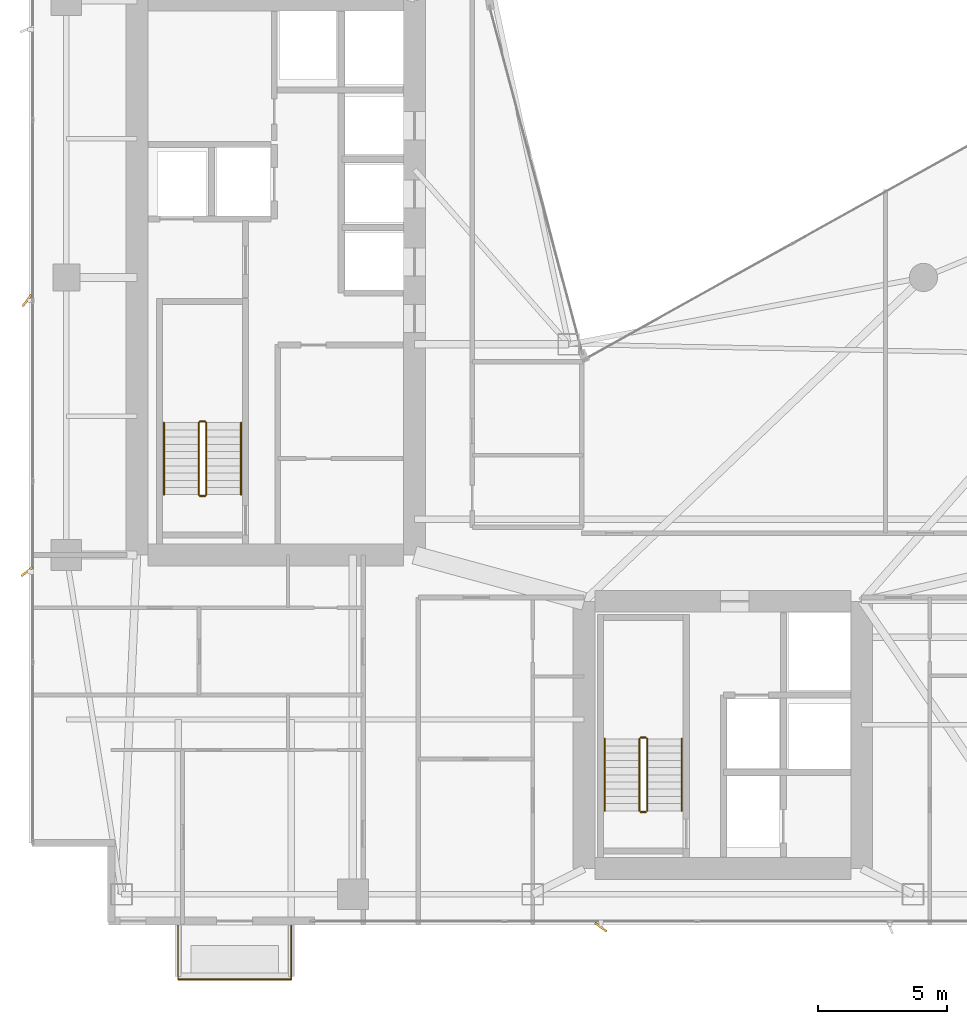
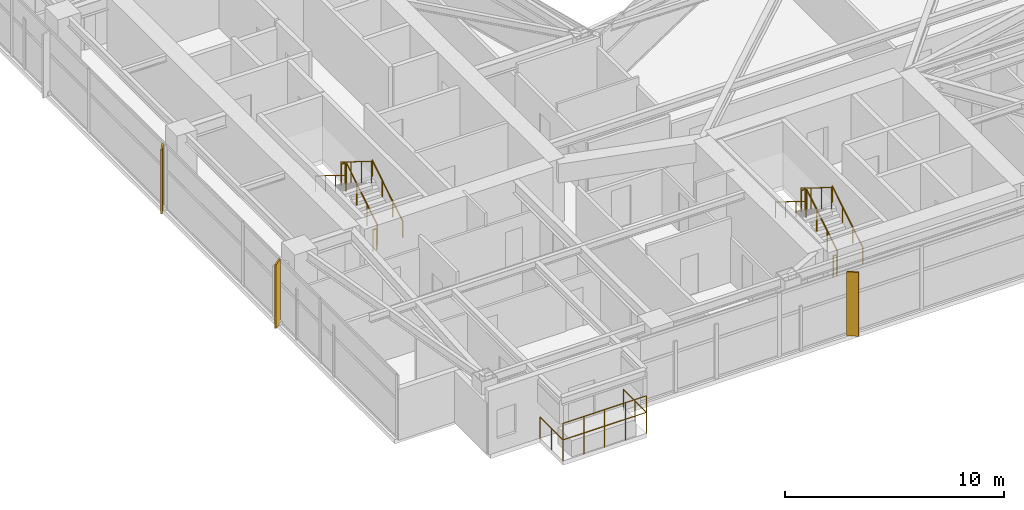
# One storey, part 28 of 29: 14 railings, 3 shading devices.
"""IFC4 building model written with IfcOpenShell, lengths in metres."""

from ifc_helpers import new_model, si_unit, direction, frame, origin, origin_2d, place, context, subcontext, project, spatial, rectangle, circle, extrude, material, type_object, element, save


model = new_model("IFC4")

# Units and contexts
model_context = context("Model", 3, precision=1e-05, world=origin(), true_north=direction((0.0, 1.0)))
body_context = subcontext(model_context, "Body", "Model", "MODEL_VIEW")
ifc_project = project(units=[si_unit("LENGTHUNIT", "METRE"), si_unit("AREAUNIT", "SQUARE_METRE"), si_unit("VOLUMEUNIT", "CUBIC_METRE"), si_unit("PLANEANGLEUNIT", "RADIAN"), si_unit("MASSUNIT", "GRAM", prefix="KILO")], contexts=[model_context])

# Site, building, storey
site_placement = place(None, origin())
site = spatial("IfcSite", under=ifc_project, at=site_placement, CompositionType="ELEMENT")
building_placement = place(site_placement, origin())
building = spatial("IfcBuilding", under=site, at=building_placement, Name="Calvorn Quay Hotel", CompositionType="ELEMENT")
storey_placement = place(building_placement, frame((0.0, 0.0, 105.0)))
storey = spatial("IfcBuildingStorey", under=building, at=storey_placement, Name="L25", CompositionType="ELEMENT", Elevation=105.0)

# Railings
ifc_material_1 = material(Name="Pale Anodised Aluminium and Laminated Glass", Category="aluminium")
railing_type_1 = type_object("IfcRailingType", Name="RLG-BALUSTRADE-1200", PredefinedType="BALUSTRADE", material=ifc_material_1)
railing_1_placement = place(storey_placement, frame((5.800048828125, 2.389892578125, 0.0)))
element("IfcRailing", 1, at=railing_1_placement, inside=storey, type_object=railing_type_1, Name="Tree Balcony Perimeter Balustrade L25-BALC-S", PredefinedType="BALUSTRADE", context=body_context, shape_type="SweptSolid", body=[
    extrude(circle(Radius=0.02392578125, at=origin_2d()), frame((0.0, 0.0, 1.17578125), z_axis=(0.0, -1.0, 0.0), x_axis=(1.0, 0.0, 0.0)), (0.0, 0.0, 1.0), 2.099853515625),
    extrude(circle(Radius=0.02392578125, at=origin_2d()), frame((0.0, -2.099853515625, 1.17578125), z_axis=(1.0, 0.0, 0.0), x_axis=(0.0, 1.0, 0.0)), (0.0, 0.0, 1.0), 4.39990234375),
    extrude(circle(Radius=0.02392578125, at=origin_2d()), frame((4.39990234375, -2.099853515625, 1.17578125), z_axis=(0.0, 1.0, 0.0), x_axis=(-1.0, 0.0, 0.0)), (0.0, 0.0, 1.0), 2.099853515625),
    extrude(circle(Radius=0.02099609375, at=origin_2d()), origin(), (0.0, 0.0, 1.0), 1.15185546875),
    extrude(circle(Radius=0.02099609375, at=origin_2d()), frame((0.0, -1.0498046875, 0.0)), (0.0, 0.0, 1.0), 1.15185546875),
    extrude(circle(Radius=0.02099609375, at=origin_2d()), frame((0.0, -2.099853515625, 0.0)), (0.0, 0.0, 1.0), 1.15185546875),
    extrude(circle(Radius=0.02099609375, at=origin_2d()), frame((1.10009765625, -2.099853515625, 0.0)), (0.0, 0.0, 1.0), 1.15185546875),
    extrude(circle(Radius=0.02099609375, at=origin_2d()), frame((2.199951171875, -2.099853515625, 0.0)), (0.0, 0.0, 1.0), 1.15185546875),
    extrude(circle(Radius=0.02099609375, at=origin_2d()), frame((3.2998046875, -2.099853515625, 0.0)), (0.0, 0.0, 1.0), 1.15185546875),
    extrude(circle(Radius=0.02099609375, at=origin_2d()), frame((4.39990234375, -2.099853515625, 0.0)), (0.0, 0.0, 1.0), 1.15185546875),
    extrude(circle(Radius=0.02099609375, at=origin_2d()), frame((4.39990234375, -1.0498046875, 0.0)), (0.0, 0.0, 1.0), 1.15185546875),
    extrude(circle(Radius=0.02099609375, at=origin_2d()), frame((4.39990234375, 0.0, 0.0)), (0.0, 0.0, 1.0), 1.15185546875),
])
railing_2_placement = place(storey_placement, frame((5.800048828125, 0.2900390625, 0.89990234375)))
element("IfcRailing", 2, at=railing_2_placement, inside=storey, type_object=railing_type_1, Name="Planter Kerb High Safety Screen L25-BALC-S", PredefinedType="BALUSTRADE", context=body_context, shape_type="SweptSolid", body=[
    extrude(circle(Radius=0.02392578125, at=origin_2d()), frame((0.0, 0.0, 1.19580078125), z_axis=(1.0, 0.0, 0.0), x_axis=(0.0, 1.0, 0.0)), (0.0, 0.0, 1.0), 4.39990234375),
    extrude(circle(Radius=0.02099609375, at=origin_2d()), origin(), (0.0, 0.0, 1.0), 1.171875),
    extrude(circle(Radius=0.02099609375, at=origin_2d()), frame((1.10009765625, 0.0, 0.0)), (0.0, 0.0, 1.0), 1.171875),
    extrude(circle(Radius=0.02099609375, at=origin_2d()), frame((2.199951171875, 0.0, 0.0)), (0.0, 0.0, 1.0), 1.171875),
    extrude(circle(Radius=0.02099609375, at=origin_2d()), frame((3.2998046875, 0.0, 0.0)), (0.0, 0.0, 1.0), 1.171875),
    extrude(circle(Radius=0.02099609375, at=origin_2d()), frame((4.39990234375, 0.0, 0.0)), (0.0, 0.0, 1.0), 1.171875),
])
ifc_material_2 = material(Name="Brushed Stainless Steel Handrail", Category="steel")
railing_type_2 = type_object("IfcRailingType", Name="RLG-HANDRAIL-900", PredefinedType="HANDRAIL", material=ifc_material_2)
railing_3_placement = place(storey_placement, frame((8.25, 19.14990234375, 0.172607421875)))
element("IfcRailing", 3, at=railing_3_placement, inside=storey, type_object=railing_type_2, Name="L25 ST-W stair handrail 1", PredefinedType="HANDRAIL", context=body_context, shape_type="SweptSolid", body=[
    extrude(circle(Radius=0.02392578125, at=origin_2d()), frame((0.0, 0.0, 0.8759765625), z_axis=(0.0, 0.851089632645, 0.525020415988), x_axis=(-1.0, 0.0, 0.0)), (0.0, 0.0, 1.0), 3.2900390625),
    extrude(circle(Radius=0.02099609375, at=origin_2d()), origin(), (0.0, 0.0, 1.0), 0.851806640625),
    extrude(circle(Radius=0.02099609375, at=origin_2d()), frame((0.0, 0.933349609375, 0.57568359375)), (0.0, 0.0, 1.0), 0.851806640625),
    extrude(circle(Radius=0.02099609375, at=origin_2d()), frame((0.0, 1.86669921875, 1.151611328125)), (0.0, 0.0, 1.0), 0.851806640625),
    extrude(circle(Radius=0.02099609375, at=origin_2d()), frame((0.0, 2.800048828125, 1.727294921875)), (0.0, 0.0, 1.0), 0.851806640625),
])
railing_4_placement = place(storey_placement, frame((5.25, 21.949951171875, 2.07275390625)))
element("IfcRailing", 4, at=railing_4_placement, inside=storey, type_object=railing_type_2, Name="L25 ST-W stair handrail 2", PredefinedType="HANDRAIL", context=body_context, shape_type="SweptSolid", body=[
    extrude(circle(Radius=0.02392578125, at=origin_2d()), frame((0.0, 0.0, 0.8759765625), z_axis=(0.0, -0.851089632645, 0.525020415988), x_axis=(1.0, 0.0, 0.0)), (0.0, 0.0, 1.0), 3.2900390625),
    extrude(circle(Radius=0.02099609375, at=origin_2d()), origin(), (0.0, 0.0, 1.0), 0.851806640625),
    extrude(circle(Radius=0.02099609375, at=origin_2d()), frame((0.0, -0.933349609375, 0.57568359375)), (0.0, 0.0, 1.0), 0.851806640625),
    extrude(circle(Radius=0.02099609375, at=origin_2d()), frame((0.0, -1.86669921875, 1.151611328125)), (0.0, 0.0, 1.0), 0.851806640625),
    extrude(circle(Radius=0.02099609375, at=origin_2d()), frame((0.0, -2.800048828125, 1.727294921875)), (0.0, 0.0, 1.0), 0.851806640625),
])
railing_5_placement = place(storey_placement, frame((25.39990234375, 6.85009765625, 0.172607421875)))
element("IfcRailing", 5, at=railing_5_placement, inside=storey, type_object=railing_type_2, Name="L25 ST-E stair handrail 1", PredefinedType="HANDRAIL", context=body_context, shape_type="SweptSolid", body=[
    extrude(circle(Radius=0.02392578125, at=origin_2d()), frame((0.0, 0.0, 0.8759765625), z_axis=(0.0, 0.851069175582, 0.525053576669), x_axis=(-1.0, 0.0, 0.0)), (0.0, 0.0, 1.0), 3.289794921875),
    extrude(circle(Radius=0.02099609375, at=origin_2d()), origin(), (0.0, 0.0, 1.0), 0.851806640625),
    extrude(circle(Radius=0.02099609375, at=origin_2d()), frame((0.0, 0.933349609375, 0.57568359375)), (0.0, 0.0, 1.0), 0.851806640625),
    extrude(circle(Radius=0.02099609375, at=origin_2d()), frame((0.0, 1.866455078125, 1.151611328125)), (0.0, 0.0, 1.0), 0.851806640625),
    extrude(circle(Radius=0.02099609375, at=origin_2d()), frame((0.0, 2.7998046875, 1.727294921875)), (0.0, 0.0, 1.0), 0.851806640625),
])
railing_6_placement = place(storey_placement, frame((22.39990234375, 9.64990234375, 2.07275390625)))
element("IfcRailing", 6, at=railing_6_placement, inside=storey, type_object=railing_type_2, Name="L25 ST-E stair handrail 2", PredefinedType="HANDRAIL", context=body_context, shape_type="SweptSolid", body=[
    extrude(circle(Radius=0.02392578125, at=origin_2d()), frame((0.0, 0.0, 0.8759765625), z_axis=(0.0, -0.851069175582, 0.525053576669), x_axis=(1.0, 0.0, 0.0)), (0.0, 0.0, 1.0), 3.289794921875),
    extrude(circle(Radius=0.02099609375, at=origin_2d()), origin(), (0.0, 0.0, 1.0), 0.851806640625),
    extrude(circle(Radius=0.02099609375, at=origin_2d()), frame((0.0, -0.933349609375, 0.57568359375)), (0.0, 0.0, 1.0), 0.851806640625),
    extrude(circle(Radius=0.02099609375, at=origin_2d()), frame((0.0, -1.866455078125, 1.151611328125)), (0.0, 0.0, 1.0), 0.851806640625),
    extrude(circle(Radius=0.02099609375, at=origin_2d()), frame((0.0, -2.7998046875, 1.727294921875)), (0.0, 0.0, 1.0), 0.851806640625),
])
ifc_material_3 = material(Name="Painted Galvanised Steel Balustrade", Category="steel")
railing_type_3 = type_object("IfcRailingType", Name="RLG-STAIR-GUARD-1120", PredefinedType="GUARDRAIL", material=ifc_material_3)
railing_7_placement = place(storey_placement, frame((6.89990234375, 19.14990234375, 0.172607421875)))
element("IfcRailing", 7, at=railing_7_placement, inside=storey, type_object=railing_type_3, Name="L25 ST-W stair guard 1", PredefinedType="GUARDRAIL", context=body_context, shape_type="SweptSolid", body=[
    extrude(circle(Radius=0.02392578125, at=origin_2d()), frame((0.0, 0.0, 1.17578125), z_axis=(0.0, 0.851089632645, 0.525020415988), x_axis=(-1.0, 0.0, 0.0)), (0.0, 0.0, 1.0), 3.2900390625),
    extrude(circle(Radius=0.02099609375, at=origin_2d()), origin(), (0.0, 0.0, 1.0), 1.15185546875),
    extrude(circle(Radius=0.02099609375, at=origin_2d()), frame((0.0, 0.933349609375, 0.57568359375)), (0.0, 0.0, 1.0), 1.15185546875),
    extrude(circle(Radius=0.02099609375, at=origin_2d()), frame((0.0, 1.86669921875, 1.151611328125)), (0.0, 0.0, 1.0), 1.15185546875),
    extrude(circle(Radius=0.02099609375, at=origin_2d()), frame((0.0, 2.800048828125, 1.727294921875)), (0.0, 0.0, 1.0), 1.15185546875),
])
railing_8_placement = place(storey_placement, frame((6.85009765625, 22.0, 1.89990234375)))
element("IfcRailing", 8, at=railing_8_placement, inside=storey, type_object=railing_type_3, Name="L25 ST-W stair guard 2", PredefinedType="GUARDRAIL", context=body_context, shape_type="SweptSolid", body=[
    extrude(circle(Radius=0.02392578125, at=origin_2d()), frame((0.0, 0.0, 1.17578125), z_axis=(-1.0, 0.0, 0.0), x_axis=(0.0, -1.0, 0.0)), (0.0, 0.0, 1.0), 0.2001953125),
    extrude(circle(Radius=0.02099609375, at=origin_2d()), origin(), (0.0, 0.0, 1.0), 1.15185546875),
    extrude(circle(Radius=0.02099609375, at=origin_2d()), frame((-0.2001953125, 0.0, 0.0)), (0.0, 0.0, 1.0), 1.15185546875),
])
railing_9_placement = place(storey_placement, frame((6.60009765625, 21.949951171875, 2.07275390625)))
element("IfcRailing", 9, at=railing_9_placement, inside=storey, type_object=railing_type_3, Name="L25 ST-W stair guard 3", PredefinedType="GUARDRAIL", context=body_context, shape_type="SweptSolid", body=[
    extrude(circle(Radius=0.02392578125, at=origin_2d()), frame((0.0, 0.0, 1.17578125), z_axis=(0.0, -0.851089632645, 0.525020415988), x_axis=(1.0, 0.0, 0.0)), (0.0, 0.0, 1.0), 3.2900390625),
    extrude(circle(Radius=0.02099609375, at=origin_2d()), origin(), (0.0, 0.0, 1.0), 1.15185546875),
    extrude(circle(Radius=0.02099609375, at=origin_2d()), frame((0.0, -0.933349609375, 0.57568359375)), (0.0, 0.0, 1.0), 1.15185546875),
    extrude(circle(Radius=0.02099609375, at=origin_2d()), frame((0.0, -1.86669921875, 1.151611328125)), (0.0, 0.0, 1.0), 1.15185546875),
    extrude(circle(Radius=0.02099609375, at=origin_2d()), frame((0.0, -2.800048828125, 1.727294921875)), (0.0, 0.0, 1.0), 1.15185546875),
])
railing_10_placement = place(storey_placement, frame((6.85009765625, 19.10009765625, 0.0)))
element("IfcRailing", 10, at=railing_10_placement, inside=storey, type_object=railing_type_3, Name="L25 ST-W stair guard 4", PredefinedType="GUARDRAIL", context=body_context, shape_type="SweptSolid", body=[
    extrude(circle(Radius=0.02392578125, at=origin_2d()), frame((0.0, 0.0, 1.17578125), z_axis=(-1.0, 0.0, 0.0), x_axis=(0.0, -1.0, 0.0)), (0.0, 0.0, 1.0), 0.2001953125),
    extrude(circle(Radius=0.02099609375, at=origin_2d()), origin(), (0.0, 0.0, 1.0), 1.15185546875),
    extrude(circle(Radius=0.02099609375, at=origin_2d()), frame((-0.2001953125, 0.0, 0.0)), (0.0, 0.0, 1.0), 1.15185546875),
])
railing_11_placement = place(storey_placement, frame((24.050048828125, 6.85009765625, 0.172607421875)))
element("IfcRailing", 11, at=railing_11_placement, inside=storey, type_object=railing_type_3, Name="L25 ST-E stair guard 1", PredefinedType="GUARDRAIL", context=body_context, shape_type="SweptSolid", body=[
    extrude(circle(Radius=0.02392578125, at=origin_2d()), frame((0.0, 0.0, 1.17578125), z_axis=(0.0, 0.851069175582, 0.525053576669), x_axis=(-1.0, 0.0, 0.0)), (0.0, 0.0, 1.0), 3.289794921875),
    extrude(circle(Radius=0.02099609375, at=origin_2d()), origin(), (0.0, 0.0, 1.0), 1.15185546875),
    extrude(circle(Radius=0.02099609375, at=origin_2d()), frame((0.0, 0.933349609375, 0.57568359375)), (0.0, 0.0, 1.0), 1.15185546875),
    extrude(circle(Radius=0.02099609375, at=origin_2d()), frame((0.0, 1.866455078125, 1.151611328125)), (0.0, 0.0, 1.0), 1.15185546875),
    extrude(circle(Radius=0.02099609375, at=origin_2d()), frame((0.0, 2.7998046875, 1.727294921875)), (0.0, 0.0, 1.0), 1.15185546875),
])
railing_12_placement = place(storey_placement, frame((24.0, 9.699951171875, 1.89990234375)))
element("IfcRailing", 12, at=railing_12_placement, inside=storey, type_object=railing_type_3, Name="L25 ST-E stair guard 2", PredefinedType="GUARDRAIL", context=body_context, shape_type="SweptSolid", body=[
    extrude(circle(Radius=0.02392578125, at=origin_2d()), frame((0.0, 0.0, 1.17578125), z_axis=(-1.0, 0.0, 0.0), x_axis=(0.0, -1.0, 0.0)), (0.0, 0.0, 1.0), 0.199951171875),
    extrude(circle(Radius=0.02099609375, at=origin_2d()), origin(), (0.0, 0.0, 1.0), 1.15185546875),
    extrude(circle(Radius=0.02099609375, at=origin_2d()), frame((-0.199951171875, 0.0, 0.0)), (0.0, 0.0, 1.0), 1.15185546875),
])
railing_13_placement = place(storey_placement, frame((23.75, 9.64990234375, 2.07275390625)))
element("IfcRailing", 13, at=railing_13_placement, inside=storey, type_object=railing_type_3, Name="L25 ST-E stair guard 3", PredefinedType="GUARDRAIL", context=body_context, shape_type="SweptSolid", body=[
    extrude(circle(Radius=0.02392578125, at=origin_2d()), frame((0.0, 0.0, 1.17578125), z_axis=(0.0, -0.851069175582, 0.525053576669), x_axis=(1.0, 0.0, 0.0)), (0.0, 0.0, 1.0), 3.289794921875),
    extrude(circle(Radius=0.02099609375, at=origin_2d()), origin(), (0.0, 0.0, 1.0), 1.15185546875),
    extrude(circle(Radius=0.02099609375, at=origin_2d()), frame((0.0, -0.933349609375, 0.57568359375)), (0.0, 0.0, 1.0), 1.15185546875),
    extrude(circle(Radius=0.02099609375, at=origin_2d()), frame((0.0, -1.866455078125, 1.151611328125)), (0.0, 0.0, 1.0), 1.15185546875),
    extrude(circle(Radius=0.02099609375, at=origin_2d()), frame((0.0, -2.7998046875, 1.727294921875)), (0.0, 0.0, 1.0), 1.15185546875),
])
railing_14_placement = place(storey_placement, frame((24.0, 6.800048828125, 0.0)))
element("IfcRailing", 14, at=railing_14_placement, inside=storey, type_object=railing_type_3, Name="L25 ST-E stair guard 4", PredefinedType="GUARDRAIL", context=body_context, shape_type="SweptSolid", body=[
    extrude(circle(Radius=0.02392578125, at=origin_2d()), frame((0.0, 0.0, 1.17578125), z_axis=(-1.0, 0.0, 0.0), x_axis=(0.0, -1.0, 0.0)), (0.0, 0.0, 1.0), 0.199951171875),
    extrude(circle(Radius=0.02099609375, at=origin_2d()), origin(), (0.0, 0.0, 1.0), 1.15185546875),
    extrude(circle(Radius=0.02099609375, at=origin_2d()), frame((-0.199951171875, 0.0, 0.0)), (0.0, 0.0, 1.0), 1.15185546875),
])

# Shading devices
ifc_material_4 = material(Name="Champagne Bronze Anodised Aluminium 6063-T6", Category="aluminium")
shading_device_type_1 = type_object("IfcShadingDeviceType", Name="SHD-FIN-A2", PredefinedType="USERDEFINED", material=ifc_material_4)
shading_device_placement = place(storey_placement, frame((-0.080078125, 16.14990234375, 0.0), z_axis=(0.0, 0.0, 1.0), x_axis=(0.788010753607, 0.615661475326, 0.0)))
element("IfcShadingDevice", 15, at=shading_device_placement, inside=storey, type_object=shading_device_type_1, Name="Diagonal Sun-Shading Fin L25-W01", ObjectType="FIN", PredefinedType="USERDEFINED", context=body_context, shape_type="SweptSolid", body=[
    extrude(rectangle(XDim=0.550048828125, YDim=0.080078125, at=origin_2d()), origin(), (0.0, 0.0, 1.0), 3.56005859375),
])
ifc_material_5 = material(Name="Champagne Bronze Anodised Aluminium 6063-T6", Category="aluminium")
shading_device_type_2 = type_object("IfcShadingDeviceType", Name="SHD-FIN-A3", PredefinedType="USERDEFINED", material=ifc_material_5)
for number, where, z_axis, x_axis, name in (
    (16, (-0.080078125, 26.699951171875, 0.0), (0.0, 0.0, 1.0), (0.587785252292, 0.809016994375, 0.0), "Diagonal Sun-Shading Fin L25-W02"),
    (17, (22.25, 2.320068359375, 0.0), (0.0, 0.0, 1.0), (-0.809016994375, 0.587785252292, 0.0), "Diagonal Sun-Shading Fin L25-S01"),
):
    element("IfcShadingDevice", number, at=place(storey_placement, frame(where, z_axis=z_axis, x_axis=x_axis)), inside=storey, type_object=shading_device_type_2, Name=name, ObjectType="FIN", PredefinedType="USERDEFINED", context=body_context, shape_type="SweptSolid", body=[
        extrude(rectangle(XDim=0.550048828125, YDim=0.080078125, at=origin_2d()), origin(), (0.0, 0.0, 1.0), 3.56005859375),
    ])

save(model, "model.ifc")
